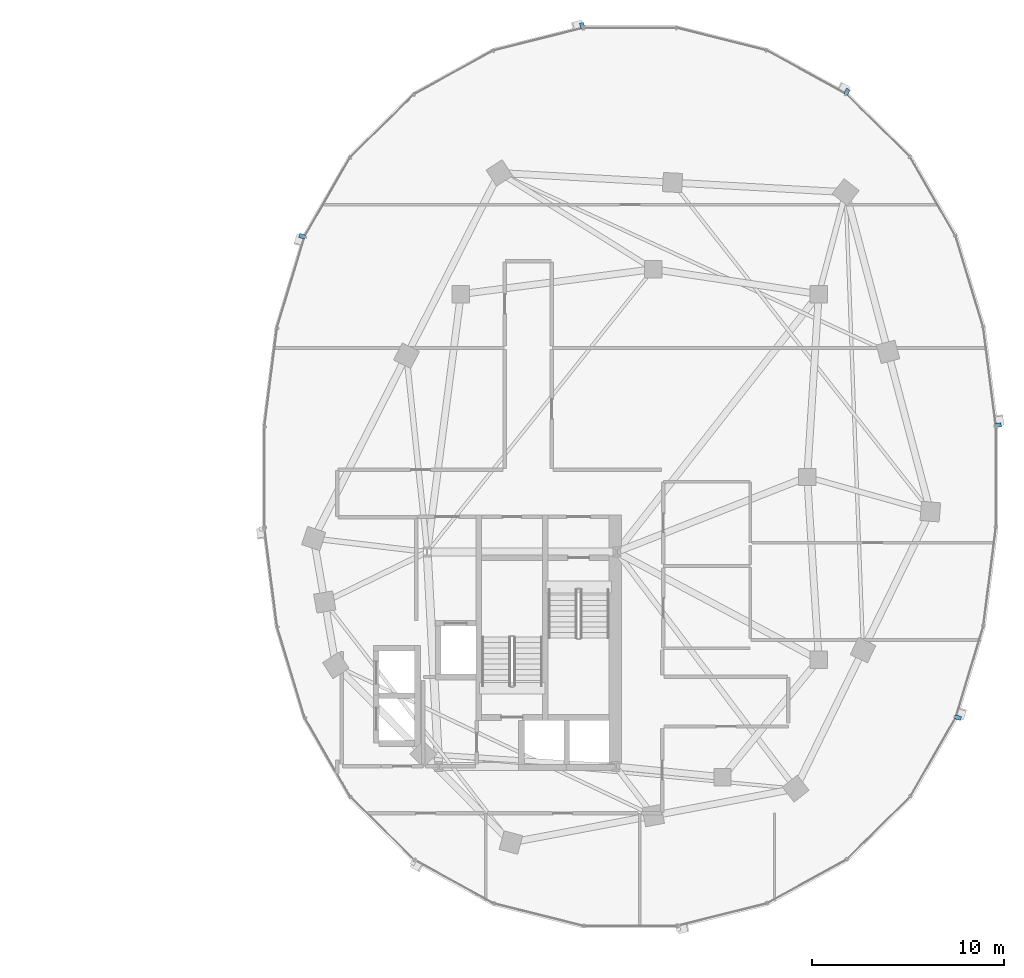
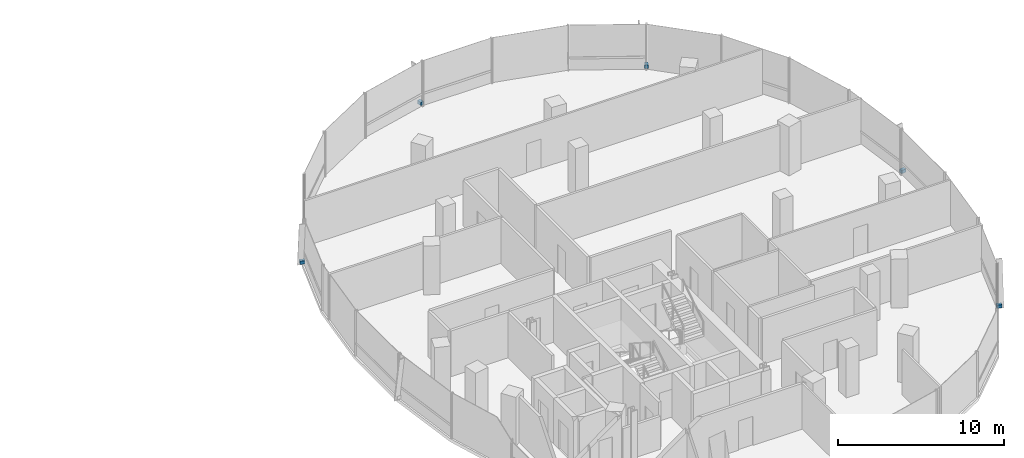
# One storey, part 18 of 23: 5 discrete accessories.
"""IFC4 building model written with IfcOpenShell, lengths in metres."""

from ifc_helpers import new_model, si_unit, direction, frame, origin, origin_2d, place, context, subcontext, project, spatial, rectangle, extrude, material, type_object, element, save


model = new_model("IFC4")

# Units and contexts
model_context = context("Model", 3, precision=1e-05, world=origin(), true_north=direction((0.0, 1.0)))
body_context = subcontext(model_context, "Body", "Model", "MODEL_VIEW")
ifc_project = project(units=[si_unit("LENGTHUNIT", "METRE"), si_unit("AREAUNIT", "SQUARE_METRE"), si_unit("VOLUMEUNIT", "CUBIC_METRE"), si_unit("PLANEANGLEUNIT", "RADIAN"), si_unit("MASSUNIT", "GRAM", prefix="KILO"), si_unit("THERMODYNAMICTEMPERATUREUNIT", "KELVIN"), si_unit("POWERUNIT", "WATT")], contexts=[model_context])

# Site, building, storey
site_placement = place(None, origin())
site = spatial("IfcSite", under=ifc_project, at=site_placement, CompositionType="ELEMENT")
building_placement = place(site_placement, origin())
building = spatial("IfcBuilding", under=site, at=building_placement, Name="Cundina Bronze Exchange", CompositionType="ELEMENT")
storey_placement = place(building_placement, frame((0.0, 0.0, 172.800048828125)))
storey = spatial("IfcBuildingStorey", under=building, at=storey_placement, Name="L45", CompositionType="ELEMENT", Elevation=172.800048828125)

# Discrete accessories
ifc_material = material(Name="Anodised Bronze Aluminium 6063-T6", Category="aluminium")
discrete_accessory_type = type_object("IfcDiscreteAccessoryType", Name="ACC-BRK-FIN", PredefinedType="BRACKET", material=ifc_material)
for number, where, z_axis, x_axis, name in (
    (1, (51.125732421875, 2.69189453125, 0.10009765625), (0.0, 0.0, 1.0), (-0.126475984253, 0.9919696696, 0.0), "L45 Fin Support Bracket 1"),
    (2, (43.266845703125, 20.015380859375, 0.10009765625), (0.0, 0.0, 1.0), (-0.875869093438, 0.482548786301, 0.0), "L45 Fin Support Bracket 5"),
    (3, (29.507080078125, 23.44970703125, 0.10009765625), (0.0, 0.0, 1.0), (-0.970092713791, -0.242734683656, 0.0), "L45 Fin Support Bracket 1"),
    (4, (14.9541015625, 12.511962890625, 0.10009765625), (0.0, 0.0, 1.0), (-0.290050843957, -0.957011237092, 0.0), "L45 Fin Support Bracket 5"),
    (5, (49.0458984375, -12.511962890625, 0.10009765625), (0.0, 0.0, 1.0), (0.290050843957, 0.957011237092, 0.0), "L45 Fin Support Bracket 5"),
):
    element("IfcDiscreteAccessory", number, at=place(storey_placement, frame(where, z_axis=z_axis, x_axis=x_axis)), inside=storey, type_object=discrete_accessory_type, Name=name, PredefinedType="BRACKET", context=body_context, shape_type="SweptSolid", body=[
        extrude(rectangle(XDim=0.219970703125, YDim=0.320068359375, at=origin_2d()), origin(), (0.0, 0.0, 1.0), 0.239990234375),
    ])

save(model, "model.ifc")
